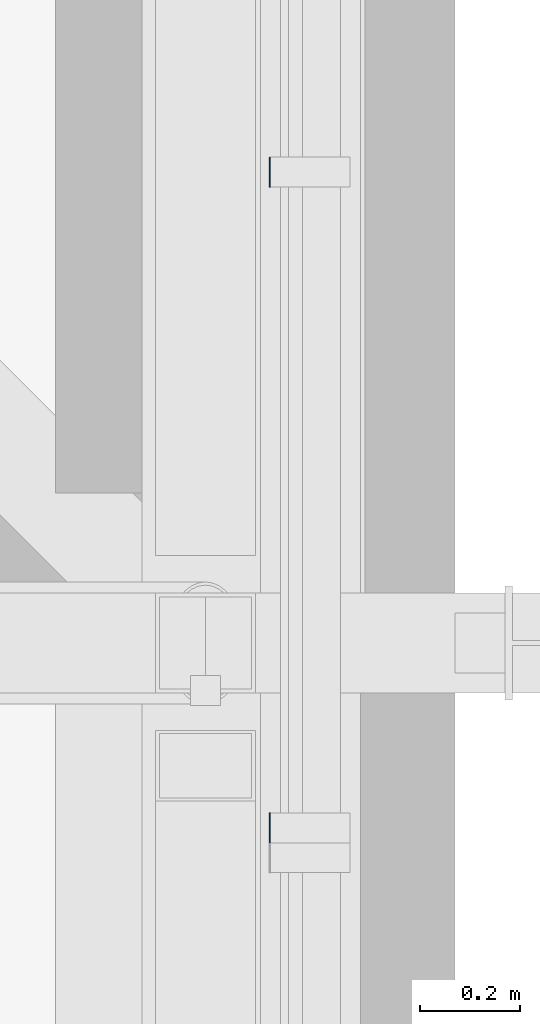
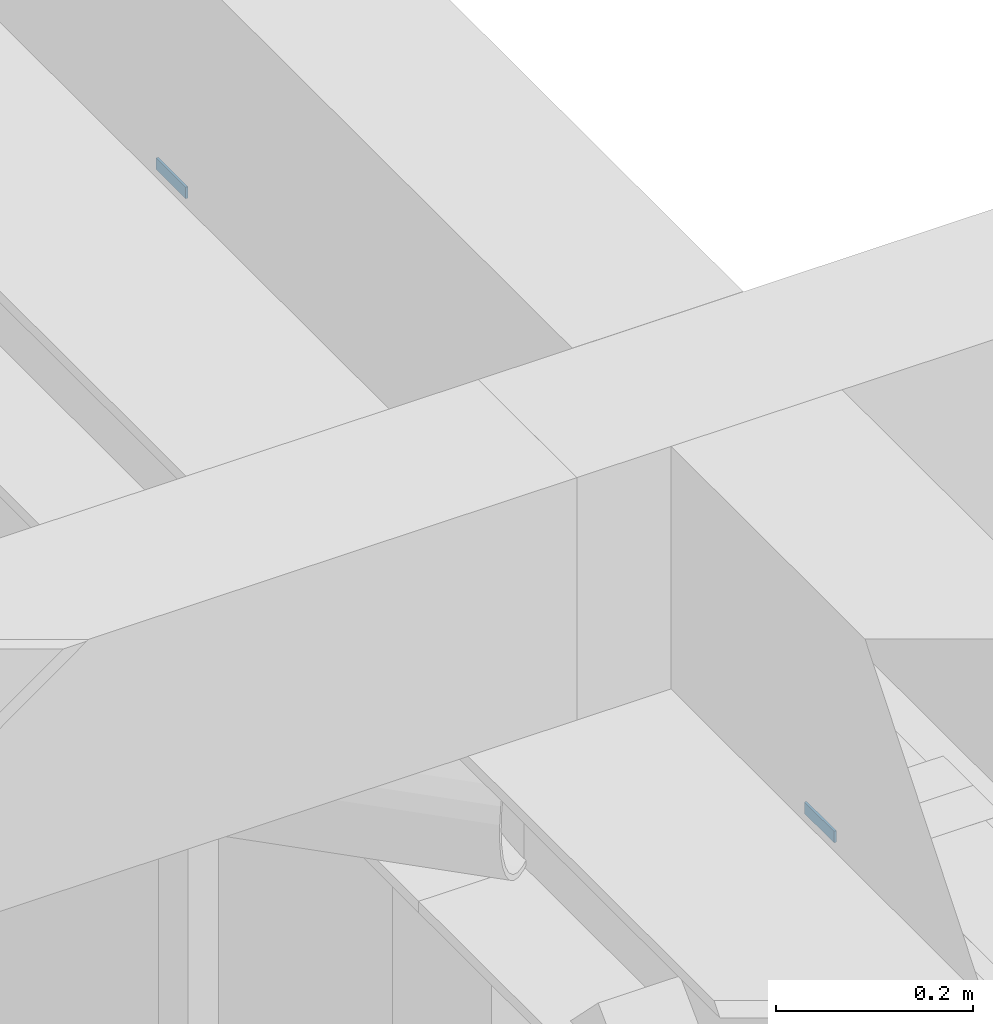
# One storey, part 619 of 646: 2 discrete accessories.
"""IFC4 building model written with IfcOpenShell, lengths in metres."""

from ifc_helpers import new_model, si_unit, direction, frame, origin, origin_2d, place, context, subcontext, project, spatial, rectangle, extrude, material, type_object, element, save


model = new_model("IFC4")

# Units and contexts
model_context = context("Model", 3, precision=1e-05, world=origin(), true_north=direction((0.0, 1.0)))
body_context = subcontext(model_context, "Body", "Model", "MODEL_VIEW")
ifc_project = project(units=[si_unit("LENGTHUNIT", "METRE"), si_unit("AREAUNIT", "SQUARE_METRE"), si_unit("VOLUMEUNIT", "CUBIC_METRE"), si_unit("PLANEANGLEUNIT", "RADIAN"), si_unit("MASSUNIT", "GRAM", prefix="KILO")], contexts=[model_context])

# Site, building, storey
site_placement = place(None, origin())
site = spatial("IfcSite", under=ifc_project, at=site_placement, CompositionType="ELEMENT")
building_placement = place(site_placement, origin())
building = spatial("IfcBuilding", under=site, at=building_placement, Name="Silverbay Arena", CompositionType="ELEMENT")
storey_placement = place(building_placement, frame((0.0, 0.0, 33.5)))
storey = spatial("IfcBuildingStorey", under=building, at=storey_placement, Name="L05", CompositionType="ELEMENT", Elevation=33.5)

# Discrete accessories
ifc_material = material(Name="Steel S355", Category="steel")
discrete_accessory_type = type_object("IfcDiscreteAccessoryType", Name="Steel bracket plate", PredefinedType="BRACKET", material=ifc_material)
for number, where, z_axis, x_axis, name in (
    (1, (207.128662109375, 134.6298828125, 12.98583984375), (0.0, 0.0, 1.0), (1.0, 0.0, 0.0), "Curtain wall packing plate"),
    (2, (207.128662109375, 135.94287109375, 12.98583984375), (0.0, 0.0, 1.0), (1.0, 0.0, 0.0), "Curtain wall packing plate"),
):
    element("IfcDiscreteAccessory", number, at=place(storey_placement, frame(where, z_axis=z_axis, x_axis=x_axis)), inside=storey, type_object=discrete_accessory_type, Name=name, PredefinedType="BRACKET", context=body_context, shape_type="SweptSolid", body=[
        extrude(rectangle(XDim=0.002685546875, YDim=0.06005859375, at=origin_2d()), origin(), (0.0, 0.0, 1.0), 0.01416015625),
    ])

save(model, "model.ifc")
